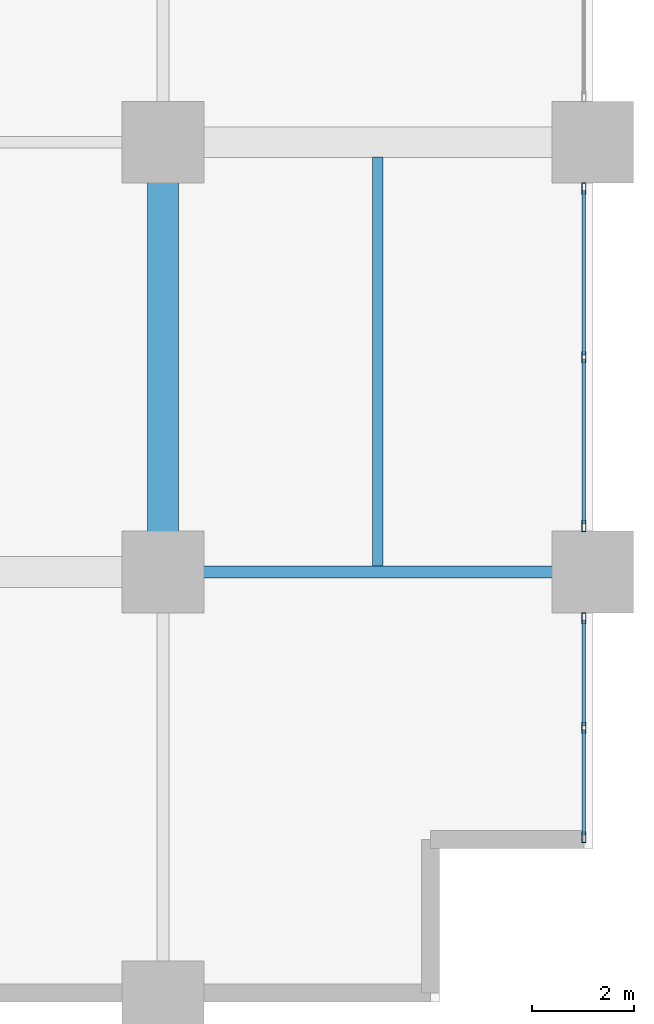
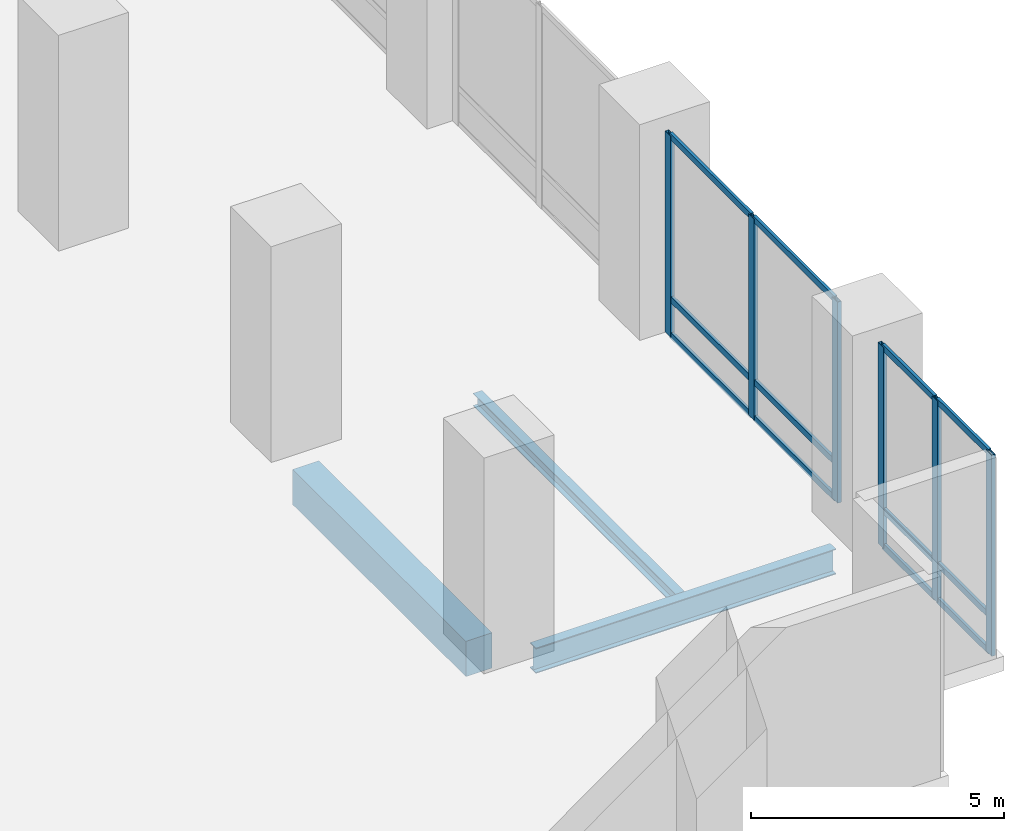
# One storey, part 3 of 19: 18 members, 3 beams, 2 elements without a shape of their own.
"""IFC4 building model written with IfcOpenShell, lengths in metres."""

from ifc_helpers import new_model, si_unit, direction, frame, origin, origin_2d, place, context, subcontext, project, spatial, rectangle, hollow_rectangle, i_section, extrude, material, layer, layer_set, material_profile, profile_set, type_object, element, aggregate, save


model = new_model("IFC4")

# Units and contexts
model_context = context("Model", 3, precision=1e-05, world=origin(), true_north=direction((0.0, 1.0)))
body_context = subcontext(model_context, "Body", "Model", "MODEL_VIEW")
ifc_project = project(units=[si_unit("LENGTHUNIT", "METRE"), si_unit("AREAUNIT", "SQUARE_METRE"), si_unit("VOLUMEUNIT", "CUBIC_METRE"), si_unit("PLANEANGLEUNIT", "RADIAN"), si_unit("MASSUNIT", "GRAM", prefix="KILO")], contexts=[model_context])

# Site, building, storey
site_placement = place(None, origin())
site = spatial("IfcSite", under=ifc_project, at=site_placement, CompositionType="ELEMENT")
building_placement = place(site_placement, origin())
building = spatial("IfcBuilding", under=site, at=building_placement, Name="Koriwani Terraces Tower", CompositionType="ELEMENT")
storey_placement = place(building_placement, frame((0.0, 0.0, 15.60009765625)))
storey = spatial("IfcBuildingStorey", under=building, at=storey_placement, Name="L03", CompositionType="ELEMENT", Elevation=15.60009765625)

# Beam
ifc_material_1 = material(Name="Concrete C60/75", Category="concrete")
ifc_material_profile_1 = material_profile(ifc_material_1, rectangle(XDim=0.60009765625, YDim=0.85009765625, at=origin_2d()), Name="Concrete C60/75", Category="LoadBearing")
ifc_profile_set_1 = profile_set([ifc_material_profile_1], Name="Concrete C60/75")
beam_type_1 = type_object("IfcBeamType", Name="BEAM_RC_GRID_600X850", PredefinedType="BEAM", material=ifc_profile_set_1)
beam_1_placement = place(storey_placement, frame((84.0, 9.179931640625, -0.775146484375), z_axis=(0.0, 1.0, 0.0), x_axis=(-1.0, 0.0, 0.0)))
element("IfcBeam", 1, at=beam_1_placement, inside=storey, type_object=beam_type_1, Name="L03 Grid Beam 11 (8.4-16.8m)", PredefinedType="BEAM", context=body_context, shape_type="SweptSolid", body=[
    extrude(rectangle(XDim=0.60009765625, YDim=0.85009765625, at=origin_2d()), origin(), (0.0, 0.0, 1.0), 6.840087890625),
])

# Curtain wall, members
ifc_material_2 = material(Name="Anodised Bronze Aluminium", Category="aluminium")
ifc_layer = layer(ifc_material_2, 0.199951171875, Name="Anodised Bronze Aluminium")
ifc_layer_set = layer_set([ifc_layer], Name="Anodised Bronze Aluminium")
curtain_wall_type = type_object("IfcCurtainWallType", Name="CW_PODIUM_GALLERIA", PredefinedType="NOTDEFINED", material=ifc_layer_set)
curtain_wall_1_placement = place(storey_placement, origin())
curtain_wall_1 = element("IfcCurtainWall", 2, at=curtain_wall_1_placement, inside=storey, type_object=curtain_wall_type, Name="L03 Unitised Curtain Wall (E_TIP) Bay 4", PredefinedType="NOTDEFINED")
ifc_material_profile_2 = material_profile(ifc_material_2, hollow_rectangle(XDim=0.0849609375, YDim=0.219970703125, WallThickness=0.008056640625, at=origin_2d()), Name="Anodised Bronze Aluminium", Category="LoadBearing")
ifc_profile_set_2 = profile_set([ifc_material_profile_2], Name="Anodised Bronze Aluminium")
member_type_1 = type_object("IfcMemberType", Name="CW_MULLION_220X85", PredefinedType="MULLION", material=ifc_profile_set_2)
member_1_placement = place(storey_placement, frame((92.22509765625, 15.8974609375, 0.0), z_axis=(0.0, 0.0, 1.0), x_axis=(1.0, 0.0, 0.0)))
member_1 = element("IfcMember", 3, at=member_1_placement, type_object=member_type_1, Name="CW-POD mullion 1", PredefinedType="MULLION", context=body_context, shape_type="SweptSolid", body=[
    extrude(hollow_rectangle(XDim=0.0849609375, YDim=0.219970703125, WallThickness=0.008056640625, at=origin_2d()), origin(), (0.0, 0.0, 1.0), 4.849853515625),
])
member_2_placement = place(storey_placement, frame((92.22509765625, 12.60009765625, 0.0), z_axis=(0.0, 0.0, 1.0), x_axis=(1.0, 0.0, 0.0)))
member_2 = element("IfcMember", 4, at=member_2_placement, type_object=member_type_1, Name="CW-POD mullion 2", PredefinedType="MULLION", context=body_context, shape_type="SweptSolid", body=[
    extrude(hollow_rectangle(XDim=0.0849609375, YDim=0.219970703125, WallThickness=0.008056640625, at=origin_2d()), origin(), (0.0, 0.0, 1.0), 4.849853515625),
])
member_3_placement = place(storey_placement, frame((92.22509765625, 9.302490234375, 0.0), z_axis=(0.0, 0.0, 1.0), x_axis=(1.0, 0.0, 0.0)))
member_3 = element("IfcMember", 5, at=member_3_placement, type_object=member_type_1, Name="CW-POD mullion 3", PredefinedType="MULLION", context=body_context, shape_type="SweptSolid", body=[
    extrude(hollow_rectangle(XDim=0.0849609375, YDim=0.219970703125, WallThickness=0.008056640625, at=origin_2d()), origin(), (0.0, 0.0, 1.0), 4.849853515625),
])

curtain_wall_2_placement = place(storey_placement, origin())
curtain_wall_2 = element("IfcCurtainWall", 6, at=curtain_wall_2_placement, inside=storey, type_object=curtain_wall_type, Name="L03 Unitised Curtain Wall (E_TIP) Bay 5", PredefinedType="NOTDEFINED")
member_4_placement = place(storey_placement, frame((92.22509765625, 7.49755859375, 0.0), z_axis=(0.0, 0.0, 1.0), x_axis=(1.0, 0.0, 0.0)))
member_4 = element("IfcMember", 7, at=member_4_placement, type_object=member_type_1, Name="CW-POD mullion 1", PredefinedType="MULLION", context=body_context, shape_type="SweptSolid", body=[
    extrude(hollow_rectangle(XDim=0.0849609375, YDim=0.219970703125, WallThickness=0.008056640625, at=origin_2d()), origin(), (0.0, 0.0, 1.0), 4.849853515625),
])
member_5_placement = place(storey_placement, frame((92.22509765625, 5.357421875, 0.0), z_axis=(0.0, 0.0, 1.0), x_axis=(1.0, 0.0, 0.0)))
member_5 = element("IfcMember", 8, at=member_5_placement, type_object=member_type_1, Name="CW-POD mullion 2", PredefinedType="MULLION", context=body_context, shape_type="SweptSolid", body=[
    extrude(hollow_rectangle(XDim=0.0849609375, YDim=0.219970703125, WallThickness=0.008056640625, at=origin_2d()), origin(), (0.0, 0.0, 1.0), 4.849853515625),
])
member_6_placement = place(storey_placement, frame((92.22509765625, 3.217529296875, 0.0), z_axis=(0.0, 0.0, 1.0), x_axis=(1.0, 0.0, 0.0)))
member_6 = element("IfcMember", 9, at=member_6_placement, type_object=member_type_1, Name="CW-POD mullion 3", PredefinedType="MULLION", context=body_context, shape_type="SweptSolid", body=[
    extrude(hollow_rectangle(XDim=0.0849609375, YDim=0.219970703125, WallThickness=0.008056640625, at=origin_2d()), origin(), (0.0, 0.0, 1.0), 4.849853515625),
])

# Member
ifc_material_profile_3 = material_profile(ifc_material_2, hollow_rectangle(XDim=0.06494140625, YDim=0.14990234375, WallThickness=0.0048828125, at=origin_2d()), Name="Anodised Bronze Aluminium", Category="LoadBearing")
ifc_profile_set_3 = profile_set([ifc_material_profile_3], Name="Anodised Bronze Aluminium")
member_type_2 = type_object("IfcMemberType", Name="CW_TRANSOM_150X65", PredefinedType="USERDEFINED", material=ifc_profile_set_3)
member_7_placement = place(storey_placement, frame((92.22509765625, 15.85498046875, 0.032470703125), z_axis=(0.0, -1.0, 0.0), x_axis=(1.0, 0.0, 0.0)))
member_7 = element("IfcMember", 10, at=member_7_placement, type_object=member_type_2, Name="CW-POD transom 1.1", ObjectType="TRANSOM", PredefinedType="USERDEFINED", context=body_context, shape_type="SweptSolid", body=[
    extrude(hollow_rectangle(XDim=0.06494140625, YDim=0.14990234375, WallThickness=0.0048828125, at=origin_2d()), origin(), (0.0, 0.0, 1.0), 3.21240234375),
])

member_8_placement = place(storey_placement, frame((92.22509765625, 15.85498046875, 0.89990234375), z_axis=(0.0, -1.0, 0.0), x_axis=(1.0, 0.0, 0.0)))
member_8 = element("IfcMember", 11, at=member_8_placement, type_object=member_type_2, Name="CW-POD transom 1.2", ObjectType="TRANSOM", PredefinedType="USERDEFINED", context=body_context, shape_type="SweptSolid", body=[
    extrude(hollow_rectangle(XDim=0.06494140625, YDim=0.14990234375, WallThickness=0.0048828125, at=origin_2d()), origin(), (0.0, 0.0, 1.0), 3.21240234375),
])

member_9_placement = place(storey_placement, frame((92.22509765625, 15.85498046875, 4.8173828125), z_axis=(0.0, -1.0, 0.0), x_axis=(1.0, 0.0, 0.0)))
member_9 = element("IfcMember", 12, at=member_9_placement, type_object=member_type_2, Name="CW-POD transom 1.3", ObjectType="TRANSOM", PredefinedType="USERDEFINED", context=body_context, shape_type="SweptSolid", body=[
    extrude(hollow_rectangle(XDim=0.06494140625, YDim=0.14990234375, WallThickness=0.0048828125, at=origin_2d()), origin(), (0.0, 0.0, 1.0), 3.21240234375),
])

member_10_placement = place(storey_placement, frame((92.22509765625, 12.5576171875, 0.032470703125), z_axis=(0.0, -1.0, 0.0), x_axis=(1.0, 0.0, 0.0)))
member_10 = element("IfcMember", 13, at=member_10_placement, type_object=member_type_2, Name="CW-POD transom 2.1", ObjectType="TRANSOM", PredefinedType="USERDEFINED", context=body_context, shape_type="SweptSolid", body=[
    extrude(hollow_rectangle(XDim=0.06494140625, YDim=0.14990234375, WallThickness=0.0048828125, at=origin_2d()), origin(), (0.0, 0.0, 1.0), 3.212646484375),
])

member_11_placement = place(storey_placement, frame((92.22509765625, 12.5576171875, 0.89990234375), z_axis=(0.0, -1.0, 0.0), x_axis=(1.0, 0.0, 0.0)))
member_11 = element("IfcMember", 14, at=member_11_placement, type_object=member_type_2, Name="CW-POD transom 2.2", ObjectType="TRANSOM", PredefinedType="USERDEFINED", context=body_context, shape_type="SweptSolid", body=[
    extrude(hollow_rectangle(XDim=0.06494140625, YDim=0.14990234375, WallThickness=0.0048828125, at=origin_2d()), origin(), (0.0, 0.0, 1.0), 3.212646484375),
])

member_12_placement = place(storey_placement, frame((92.22509765625, 12.5576171875, 4.8173828125), z_axis=(0.0, -1.0, 0.0), x_axis=(1.0, 0.0, 0.0)))
member_12 = element("IfcMember", 15, at=member_12_placement, type_object=member_type_2, Name="CW-POD transom 2.3", ObjectType="TRANSOM", PredefinedType="USERDEFINED", context=body_context, shape_type="SweptSolid", body=[
    extrude(hollow_rectangle(XDim=0.06494140625, YDim=0.14990234375, WallThickness=0.0048828125, at=origin_2d()), origin(), (0.0, 0.0, 1.0), 3.212646484375),
])

aggregate(curtain_wall_1, [member_1, member_2, member_3, member_7, member_8, member_9, member_10, member_11, member_12])

member_13_placement = place(storey_placement, frame((92.22509765625, 7.455078125, 0.032470703125), z_axis=(0.0, -1.0, 0.0), x_axis=(1.0, 0.0, 0.0)))
member_13 = element("IfcMember", 16, at=member_13_placement, type_object=member_type_2, Name="CW-POD transom 1.1", ObjectType="TRANSOM", PredefinedType="USERDEFINED", context=body_context, shape_type="SweptSolid", body=[
    extrude(hollow_rectangle(XDim=0.06494140625, YDim=0.14990234375, WallThickness=0.0048828125, at=origin_2d()), origin(), (0.0, 0.0, 1.0), 2.05517578125),
])

member_14_placement = place(storey_placement, frame((92.22509765625, 7.455078125, 0.89990234375), z_axis=(0.0, -1.0, 0.0), x_axis=(1.0, 0.0, 0.0)))
member_14 = element("IfcMember", 17, at=member_14_placement, type_object=member_type_2, Name="CW-POD transom 1.2", ObjectType="TRANSOM", PredefinedType="USERDEFINED", context=body_context, shape_type="SweptSolid", body=[
    extrude(hollow_rectangle(XDim=0.06494140625, YDim=0.14990234375, WallThickness=0.0048828125, at=origin_2d()), origin(), (0.0, 0.0, 1.0), 2.05517578125),
])

member_15_placement = place(storey_placement, frame((92.22509765625, 7.455078125, 4.8173828125), z_axis=(0.0, -1.0, 0.0), x_axis=(1.0, 0.0, 0.0)))
member_15 = element("IfcMember", 18, at=member_15_placement, type_object=member_type_2, Name="CW-POD transom 1.3", ObjectType="TRANSOM", PredefinedType="USERDEFINED", context=body_context, shape_type="SweptSolid", body=[
    extrude(hollow_rectangle(XDim=0.06494140625, YDim=0.14990234375, WallThickness=0.0048828125, at=origin_2d()), origin(), (0.0, 0.0, 1.0), 2.05517578125),
])

member_16_placement = place(storey_placement, frame((92.22509765625, 5.31494140625, 0.032470703125), z_axis=(0.0, -1.0, 0.0), x_axis=(1.0, 0.0, 0.0)))
member_16 = element("IfcMember", 19, at=member_16_placement, type_object=member_type_2, Name="CW-POD transom 2.1", ObjectType="TRANSOM", PredefinedType="USERDEFINED", context=body_context, shape_type="SweptSolid", body=[
    extrude(hollow_rectangle(XDim=0.06494140625, YDim=0.14990234375, WallThickness=0.0048828125, at=origin_2d()), origin(), (0.0, 0.0, 1.0), 2.054931640625),
])

member_17_placement = place(storey_placement, frame((92.22509765625, 5.31494140625, 0.89990234375), z_axis=(0.0, -1.0, 0.0), x_axis=(1.0, 0.0, 0.0)))
member_17 = element("IfcMember", 20, at=member_17_placement, type_object=member_type_2, Name="CW-POD transom 2.2", ObjectType="TRANSOM", PredefinedType="USERDEFINED", context=body_context, shape_type="SweptSolid", body=[
    extrude(hollow_rectangle(XDim=0.06494140625, YDim=0.14990234375, WallThickness=0.0048828125, at=origin_2d()), origin(), (0.0, 0.0, 1.0), 2.054931640625),
])

member_18_placement = place(storey_placement, frame((92.22509765625, 5.31494140625, 4.8173828125), z_axis=(0.0, -1.0, 0.0), x_axis=(1.0, 0.0, 0.0)))
member_18 = element("IfcMember", 21, at=member_18_placement, type_object=member_type_2, Name="CW-POD transom 2.3", ObjectType="TRANSOM", PredefinedType="USERDEFINED", context=body_context, shape_type="SweptSolid", body=[
    extrude(hollow_rectangle(XDim=0.06494140625, YDim=0.14990234375, WallThickness=0.0048828125, at=origin_2d()), origin(), (0.0, 0.0, 1.0), 2.054931640625),
])

aggregate(curtain_wall_2, [member_4, member_5, member_6, member_13, member_14, member_15, member_16, member_17, member_18])

# Beams
ifc_material_3 = material(Name="Steel ASTM A572 Grade 50", Category="steel")
ifc_material_profile_4 = material_profile(ifc_material_3, i_section(OverallWidth=0.205078125, OverallDepth=0.31005859375, WebThickness=0.009521484375, FlangeThickness=0.016357421875, at=origin_2d()), Name="Steel ASTM A572 Grade 50", Category="LoadBearing")
ifc_profile_set_4 = profile_set([ifc_material_profile_4], Name="Steel ASTM A572 Grade 50")
beam_type_2 = type_object("IfcBeamType", Name="STEEL_BEAM_W310X74", PredefinedType="JOIST", material=ifc_profile_set_4)
beam_2_placement = place(storey_placement, frame((88.199951171875, 8.50439453125, -0.505126953125), z_axis=(0.0, 1.0, 0.0), x_axis=(-1.0, 0.0, 0.0)))
element("IfcBeam", 22, at=beam_2_placement, inside=storey, type_object=beam_type_2, Name="L03 Secondary Steel Floor Joist X=88.2m", PredefinedType="JOIST", context=body_context, shape_type="SweptSolid", body=[
    extrude(i_section(OverallWidth=0.205078125, OverallDepth=0.31005859375, WebThickness=0.009521484375, FlangeThickness=0.016357421875, at=origin_2d()), origin(), (0.0, 0.0, 1.0), 8.005615234375),
])
ifc_material_profile_5 = material_profile(ifc_material_3, i_section(OverallWidth=0.22900390625, OverallDepth=0.611083984375, WebThickness=0.0126953125, FlangeThickness=0.022216796875, at=origin_2d()), Name="Steel ASTM A572 Grade 50", Category="LoadBearing")
ifc_profile_set_5 = profile_set([ifc_material_profile_5], Name="Steel ASTM A572 Grade 50")
beam_type_3 = type_object("IfcBeamType", Name="STEEL_BEAM_W610X155", PredefinedType="BEAM", material=ifc_profile_set_5)
beam_3_placement = place(storey_placement, frame((84.780029296875, 8.39990234375, -0.655517578125), z_axis=(1.0, 0.0, 0.0), x_axis=(0.0, 1.0, 0.0)))
element("IfcBeam", 23, at=beam_3_placement, inside=storey, type_object=beam_type_3, Name="L03 Grid Beam B (84.0-92.4m)", PredefinedType="BEAM", context=body_context, shape_type="SweptSolid", body=[
    extrude(i_section(OverallWidth=0.22900390625, OverallDepth=0.611083984375, WebThickness=0.0126953125, FlangeThickness=0.022216796875, at=origin_2d()), origin(), (0.0, 0.0, 1.0), 6.840087890625),
])

save(model, "model.ifc")
